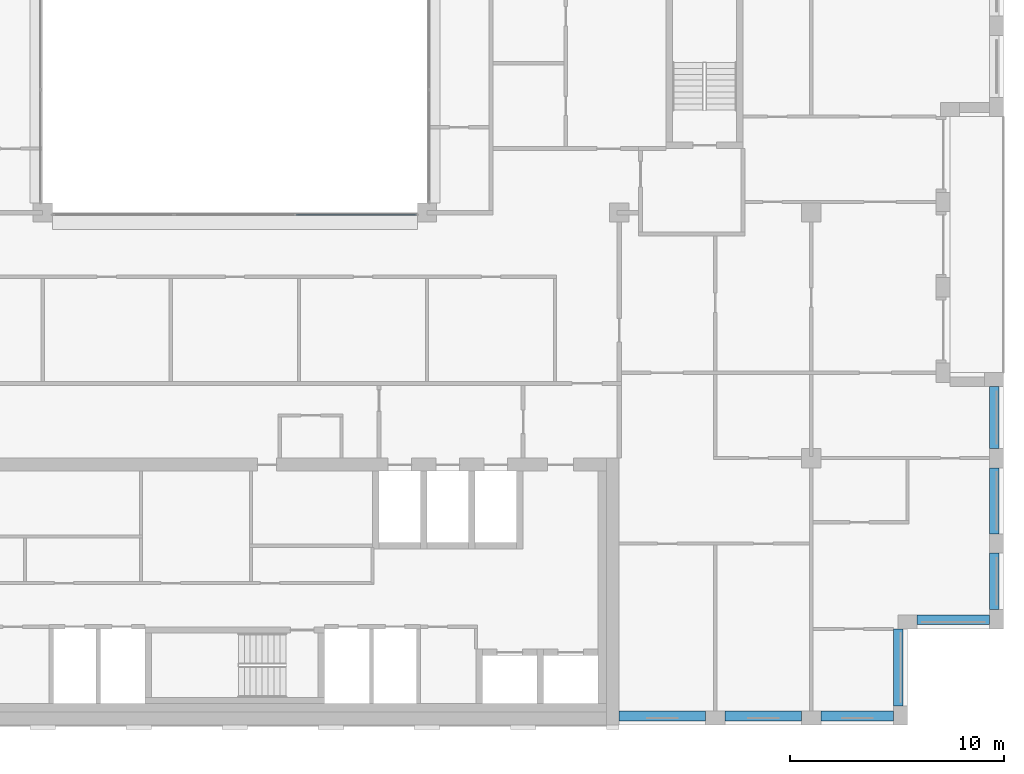
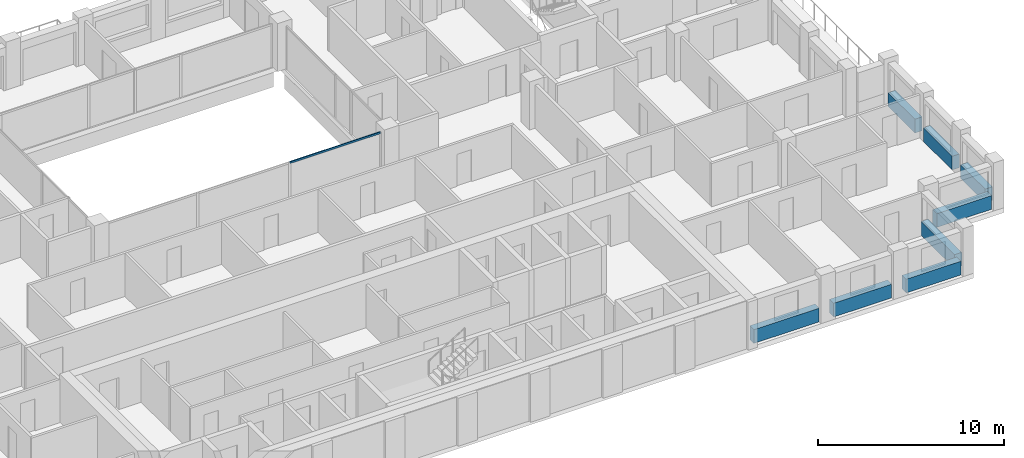
# One storey, part 3 of 16: 8 beams, 1 member, 1 element without a shape of its own.
"""IFC4 building model written with IfcOpenShell, lengths in metres."""

from ifc_helpers import new_model, si_unit, direction, frame, origin, origin_2d, place, context, subcontext, project, spatial, rectangle, extrude, material, layer, layer_set, material_profile, profile_set, type_object, element, aggregate, save


model = new_model("IFC4")

# Units and contexts
model_context = context("Model", 3, precision=1e-05, world=origin(), true_north=direction((0.0, 1.0)))
body_context = subcontext(model_context, "Body", "Model", "MODEL_VIEW")
ifc_project = project(units=[si_unit("LENGTHUNIT", "METRE"), si_unit("AREAUNIT", "SQUARE_METRE"), si_unit("VOLUMEUNIT", "CUBIC_METRE"), si_unit("PLANEANGLEUNIT", "RADIAN"), si_unit("MASSUNIT", "GRAM", prefix="KILO")], contexts=[model_context])

# Site, building, storey
site_placement = place(None, origin())
site = spatial("IfcSite", under=ifc_project, at=site_placement, CompositionType="ELEMENT")
building_placement = place(site_placement, origin())
building = spatial("IfcBuilding", under=site, at=building_placement, Name="Brigalow Station Residences", CompositionType="ELEMENT")
storey_placement = place(building_placement, frame((0.0, 0.0, 204.300048828125)))
storey = spatial("IfcBuildingStorey", under=building, at=storey_placement, Name="L58", CompositionType="ELEMENT", Elevation=204.300048828125)

# Curtain wall, member
ifc_material_1 = material(Name="Aluminium", Category="aluminium")
ifc_layer = layer(ifc_material_1, 0.14990234375)
ifc_layer_set = layer_set([ifc_layer], Name="ATRIUM FIRE-RATED GLAZING CURTAIN WALL")
curtain_wall_type = type_object("IfcCurtainWallType", Name="ATRIUM FIRE-RATED GLAZING CURTAIN WALL", PredefinedType="NOTDEFINED", material=ifc_layer_set)
curtain_wall_placement = place(storey_placement, origin())
curtain_wall = element("IfcCurtainWall", 1, at=curtain_wall_placement, inside=storey, type_object=curtain_wall_type, Name="L58/cw/atrium-S", PredefinedType="NOTDEFINED")
ifc_material_2 = material(Name="Aluminium", Category="aluminium")
ifc_material_profile_1 = material_profile(ifc_material_2, rectangle(XDim=0.06005859375, YDim=0.1201171875, at=origin_2d()), Name="ATRIUM FIRE-RATED GLAZING TRANSOM 60x120")
ifc_profile_set_1 = profile_set([ifc_material_profile_1], Name="Aluminium")
member_type = type_object("IfcMemberType", Name="ATRIUM FIRE-RATED GLAZING TRANSOM 60x120", PredefinedType="USERDEFINED", material=ifc_profile_set_1)
member_placement = place(storey_placement, frame((38.8798828125, 23.89990234375, 2.800048828125), z_axis=(1.0, 0.0, 0.0), x_axis=(0.0, 1.0, 0.0)))
member = element("IfcMember", 2, at=member_placement, type_object=member_type, Name="L58/cw/atrium-S/T02-00", ObjectType="TRANSOM", PredefinedType="USERDEFINED", context=body_context, shape_type="SweptSolid", body=[
    extrude(rectangle(XDim=0.06005859375, YDim=0.1201171875, at=origin_2d()), origin(), (0.0, 0.0, 1.0), 5.610107421875),
])
aggregate(curtain_wall, [member])

# Beams
ifc_material_3 = material(Name="Concrete C50", Category="concrete")
ifc_material_profile_2 = material_profile(ifc_material_3, rectangle(XDim=0.449951171875, YDim=0.89990234375, at=origin_2d()), Name="RC450x900")
ifc_profile_set_2 = profile_set([ifc_material_profile_2], Name="Concrete C50")
beam_type = type_object("IfcBeamType", Name="SPANDREL BEAM 450x900 C50", PredefinedType="SPANDREL", material=ifc_profile_set_2)
beam_1_placement = place(storey_placement, frame((54.0, 0.425048828125, 0.449951171875), z_axis=(1.0, 0.0, 0.0), x_axis=(0.0, 1.0, 0.0)))
element("IfcBeam", 3, at=beam_1_placement, inside=storey, type_object=beam_type, Name="L58/spandrel/W-L58-3", PredefinedType="SPANDREL", context=body_context, shape_type="SweptSolid", body=[
    extrude(rectangle(XDim=0.449951171875, YDim=0.89990234375, at=origin_2d()), origin(), (0.0, 0.0, 1.0), 4.050048828125),
])
beam_2_placement = place(storey_placement, frame((58.949951171875, 0.425048828125, 0.449951171875), z_axis=(1.0, 0.0, 0.0), x_axis=(0.0, 1.0, 0.0)))
element("IfcBeam", 4, at=beam_2_placement, inside=storey, type_object=beam_type, Name="L58/spandrel/W-L58-4", PredefinedType="SPANDREL", context=body_context, shape_type="SweptSolid", body=[
    extrude(rectangle(XDim=0.449951171875, YDim=0.89990234375, at=origin_2d()), origin(), (0.0, 0.0, 1.0), 3.60009765625),
])
beam_3_placement = place(storey_placement, frame((63.449951171875, 0.425048828125, 0.449951171875), z_axis=(1.0, 0.0, 0.0), x_axis=(0.0, 1.0, 0.0)))
element("IfcBeam", 5, at=beam_3_placement, inside=storey, type_object=beam_type, Name="L58/spandrel/W-L58-5", PredefinedType="SPANDREL", context=body_context, shape_type="SweptSolid", body=[
    extrude(rectangle(XDim=0.449951171875, YDim=0.89990234375, at=origin_2d()), origin(), (0.0, 0.0, 1.0), 3.400146484375),
])
beam_4_placement = place(storey_placement, frame((67.074951171875, 0.89990234375, 0.449951171875), z_axis=(0.0, 1.0, 0.0), x_axis=(-1.0, 0.0, 0.0)))
element("IfcBeam", 6, at=beam_4_placement, inside=storey, type_object=beam_type, Name="L58/spandrel/W-L58-6", PredefinedType="SPANDREL", context=body_context, shape_type="SweptSolid", body=[
    extrude(rectangle(XDim=0.449951171875, YDim=0.89990234375, at=origin_2d()), origin(), (0.0, 0.0, 1.0), 3.60009765625),
])
beam_5_placement = place(storey_placement, frame((67.949951171875, 4.925048828125, 0.449951171875), z_axis=(1.0, 0.0, 0.0), x_axis=(0.0, 1.0, 0.0)))
element("IfcBeam", 7, at=beam_5_placement, inside=storey, type_object=beam_type, Name="L58/spandrel/W-L58-7", PredefinedType="SPANDREL", context=body_context, shape_type="SweptSolid", body=[
    extrude(rectangle(XDim=0.449951171875, YDim=0.89990234375, at=origin_2d()), origin(), (0.0, 0.0, 1.0), 3.400146484375),
])
beam_6_placement = place(storey_placement, frame((71.574951171875, 5.39990234375, 0.449951171875), z_axis=(0.0, 1.0, 0.0), x_axis=(-1.0, 0.0, 0.0)))
element("IfcBeam", 8, at=beam_6_placement, inside=storey, type_object=beam_type, Name="L58/spandrel/W-L58-8", PredefinedType="SPANDREL", context=body_context, shape_type="SweptSolid", body=[
    extrude(rectangle(XDim=0.449951171875, YDim=0.89990234375, at=origin_2d()), origin(), (0.0, 0.0, 1.0), 2.650146484375),
])
beam_7_placement = place(storey_placement, frame((71.574951171875, 8.949951171875, 0.449951171875), z_axis=(0.0, 1.0, 0.0), x_axis=(-1.0, 0.0, 0.0)))
element("IfcBeam", 9, at=beam_7_placement, inside=storey, type_object=beam_type, Name="L58/spandrel/W-L58-9", PredefinedType="SPANDREL", context=body_context, shape_type="SweptSolid", body=[
    extrude(rectangle(XDim=0.449951171875, YDim=0.89990234375, at=origin_2d()), origin(), (0.0, 0.0, 1.0), 3.10009765625),
])
beam_8_placement = place(storey_placement, frame((71.574951171875, 12.949951171875, 0.449951171875), z_axis=(0.0, 1.0, 0.0), x_axis=(-1.0, 0.0, 0.0)))
element("IfcBeam", 10, at=beam_8_placement, inside=storey, type_object=beam_type, Name="L58/spandrel/W-L58-10", PredefinedType="SPANDREL", context=body_context, shape_type="SweptSolid", body=[
    extrude(rectangle(XDim=0.449951171875, YDim=0.89990234375, at=origin_2d()), origin(), (0.0, 0.0, 1.0), 2.900146484375),
])

save(model, "model.ifc")
